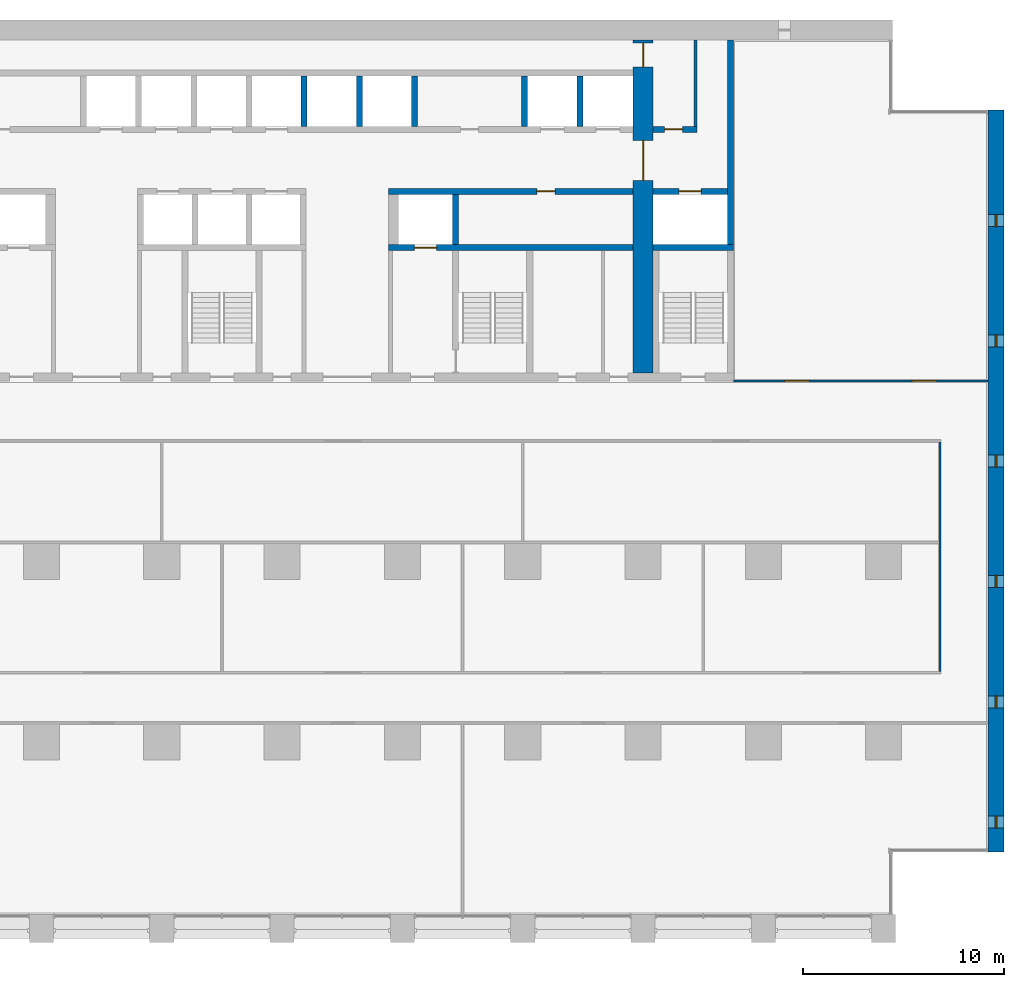
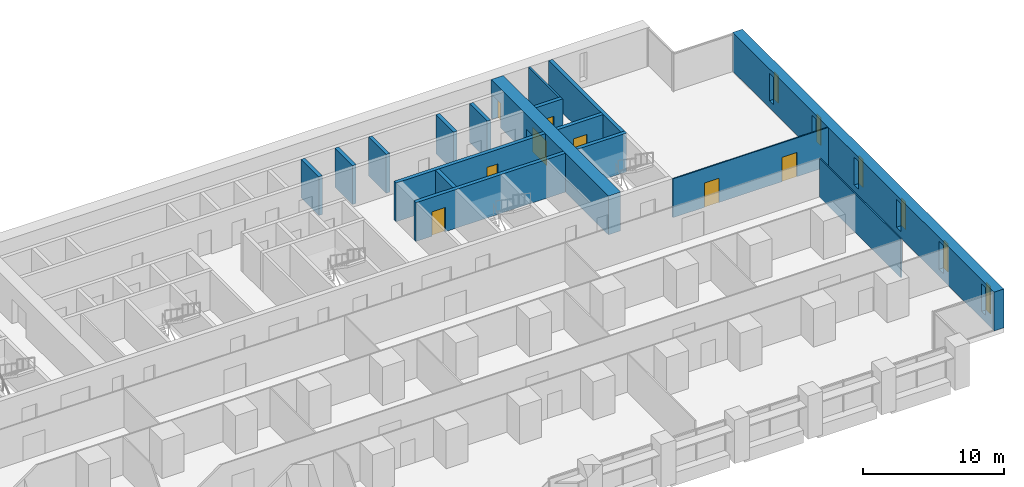
# One storey, part 13 of 18: 17 walls, 8 doors, 6 windows, 14 openings.
"""IFC4 building model written with IfcOpenShell, lengths in metres."""

from ifc_helpers import new_model, si_unit, direction, frame, frame_2d, origin, place, context, subcontext, project, spatial, rectangle, extrude, material, layer, layer_set, type_object, element, fill, save


model = new_model("IFC4")

# Units and contexts
model_context = context("Model", 3, precision=1e-05, world=origin(), true_north=direction((0.0, 1.0)))
body_context = subcontext(model_context, "Body", "Model", "MODEL_VIEW")
ifc_project = project(units=[si_unit("LENGTHUNIT", "METRE"), si_unit("AREAUNIT", "SQUARE_METRE"), si_unit("VOLUMEUNIT", "CUBIC_METRE"), si_unit("PLANEANGLEUNIT", "RADIAN"), si_unit("MASSUNIT", "GRAM", prefix="KILO")], contexts=[model_context])

# Site, building, storey
site_placement = place(None, origin())
site = spatial("IfcSite", under=ifc_project, at=site_placement, CompositionType="ELEMENT")
building_placement = place(site_placement, origin())
building = spatial("IfcBuilding", under=site, at=building_placement, Name="Calvaro Tower", CompositionType="ELEMENT")
storey_placement = place(building_placement, frame((0.0, 0.0, 30.0)))
storey = spatial("IfcBuildingStorey", under=building, at=storey_placement, Name="L06", CompositionType="ELEMENT", Elevation=30.0)

# Wall
ifc_material_1 = material(Name="Blockwork partition", Category="masonry")
ifc_layer_1 = layer(ifc_material_1, 0.14990234375)
ifc_layer_set_1 = layer_set([ifc_layer_1], Name="Blockwork partition")
wall_type_1 = type_object("IfcWallType", Name="Core partition 150 REI 120", PredefinedType="PARTITIONING", material=ifc_layer_set_1)
wall_1_placement = place(storey_placement, frame((62.625, 40.699951171875, 0.0), z_axis=(0.0, 0.0, 1.0), x_axis=(0.0, 1.0, 0.0)))
element("IfcWall", 1, at=wall_1_placement, inside=storey, type_object=wall_type_1, Name="Core partition", PredefinedType="PARTITIONING", context=body_context, shape_type="SweptSolid", body=[
    extrude(rectangle(XDim=4.300048828125, YDim=0.14990234375, at=frame_2d((2.14990234375, 0.0))), origin(), (0.0, 0.0, 1.0), 3.35009765625),
])

# Wall, opening, door
ifc_material_2 = material(Name="Blockwork partition", Category="masonry")
ifc_layer_2 = layer(ifc_material_2, 0.300048828125)
ifc_layer_set_2 = layer_set([ifc_layer_2], Name="Blockwork partition")
wall_type_2 = type_object("IfcWallType", Name="Core partition 300 REI 120", PredefinedType="PARTITIONING", material=ifc_layer_set_2)
wall_2_placement = place(storey_placement, frame((60.5, 40.550048828125, 0.0), z_axis=(0.0, 0.0, 1.0), x_axis=(1.0, 0.0, 0.0)))
wall_2 = element("IfcWall", 2, at=wall_2_placement, inside=storey, type_object=wall_type_2, Name="Core partition", PredefinedType="PARTITIONING", context=body_context, shape_type="SweptSolid", body=[
    extrude(rectangle(XDim=2.199951171875, YDim=0.300048828125, at=frame_2d((1.10009765625, 0.0))), origin(), (0.0, 0.0, 1.0), 3.35009765625),
])
opening_1_placement = place(wall_2_placement, frame((0.574951171875, 0.0, 0.0)))
opening_1 = element("IfcOpeningElement", 3, at=opening_1_placement, cuts=wall_2, Name="Opening RD9E", PredefinedType="OPENING", context=body_context, shape_type="SweptSolid", body=[
    extrude(rectangle(XDim=0.89990234375, YDim=2.10009765625, at=frame_2d((0.449951171875, 1.050048828125))), frame((0.0, 0.159912109375, 0.0), z_axis=(0.0, -1.0, 0.0), x_axis=(1.0, 0.0, 0.0)), (0.0, 0.0, 1.0), 0.320068359375),
])
ifc_material_3 = material(Name="Steel door set", Category="steel")
door_type_1 = type_object("IfcDoorType", Name="Room door 900 FD60", OperationType="SINGLE_SWING_LEFT", PredefinedType="DOOR", material=ifc_material_3)
door_1_placement = place(opening_1_placement, origin())
door_1 = element("IfcDoor", 4, at=door_1_placement, inside=storey, type_object=door_type_1, Name="Room door", OperationType="SINGLE_SWING_LEFT", OverallHeight=2.10009765625, OverallWidth=0.89990234375, PredefinedType="DOOR", context=body_context, shape_type="SweptSolid", body=[
    extrude(rectangle(XDim=0.89990234375, YDim=2.10009765625, at=frame_2d((0.449951171875, 1.050048828125))), frame((0.0, 0.02490234375, 0.0), z_axis=(0.0, -1.0, 0.0), x_axis=(1.0, 0.0, 0.0)), (0.0, 0.0, 1.0), 0.050048828125),
])
fill(opening_1, door_1)

# Wall, openings, doors
ifc_material_4 = material(Name="Concrete C80/95", Category="concrete")
ifc_layer_3 = layer(ifc_material_4, 1.0)
ifc_layer_set_3 = layer_set([ifc_layer_3], Name="Concrete C80/95")
wall_type_3 = type_object("IfcWallType", Name="Core wall C80/95 1000", PredefinedType="SHEAR", material=ifc_layer_set_3)
wall_3_placement = place(storey_placement, frame((60.0, 28.39990234375, 0.0), z_axis=(0.0, 0.0, 1.0), x_axis=(0.0, 1.0, 0.0)))
wall_3 = element("IfcWall", 5, at=wall_3_placement, inside=storey, type_object=wall_type_3, Name="Core wall, cross shear wall", PredefinedType="SHEAR", context=body_context, shape_type="SweptSolid", body=[
    extrude(rectangle(XDim=16.60009765625, YDim=1.0, at=frame_2d((8.300048828125, 0.0))), origin(), (0.0, 0.0, 1.0), 3.35009765625),
])
opening_2_placement = place(wall_3_placement, frame((9.60009765625, 0.0, 0.0)))
opening_2 = element("IfcOpeningElement", 6, at=opening_2_placement, cuts=wall_3, Name="Opening DD20D", PredefinedType="OPENING", context=body_context, shape_type="SweptSolid", body=[
    extrude(rectangle(XDim=2.0, YDim=2.10009765625, at=frame_2d((1.0, 1.050048828125))), frame((0.0, 0.510009765625, 0.0), z_axis=(0.0, -1.0, 0.0), x_axis=(1.0, 0.0, 0.0)), (0.0, 0.0, 1.0), 1.02001953125),
])
opening_3_placement = place(wall_3_placement, frame((15.25, 0.0, 0.0)))
opening_3 = element("IfcOpeningElement", 7, at=opening_3_placement, cuts=wall_3, Name="Opening FD12C", PredefinedType="OPENING", context=body_context, shape_type="SweptSolid", body=[
    extrude(rectangle(XDim=1.199951171875, YDim=2.10009765625, at=frame_2d((0.60009765625, 1.050048828125))), frame((0.0, 0.510009765625, 0.0), z_axis=(0.0, -1.0, 0.0), x_axis=(1.0, 0.0, 0.0)), (0.0, 0.0, 1.0), 1.02001953125),
])
ifc_material_5 = material(Name="Steel door set", Category="steel")
door_type_2 = type_object("IfcDoorType", Name="Fire door 1200 FD30", OperationType="SINGLE_SWING_LEFT", PredefinedType="DOOR", material=ifc_material_5)
door_2_placement = place(opening_3_placement, origin())
door_2 = element("IfcDoor", 8, at=door_2_placement, inside=storey, type_object=door_type_2, Name="Fire door", OperationType="SINGLE_SWING_LEFT", OverallHeight=2.10009765625, OverallWidth=1.199951171875, PredefinedType="DOOR", context=body_context, shape_type="SweptSolid", body=[
    extrude(rectangle(XDim=1.199951171875, YDim=2.10009765625, at=frame_2d((0.60009765625, 1.050048828125))), frame((0.0, 0.02490234375, 0.0), z_axis=(0.0, -1.0, 0.0), x_axis=(1.0, 0.0, 0.0)), (0.0, 0.0, 1.0), 0.050048828125),
])
fill(opening_3, door_2)
ifc_material_6 = material(Name="Steel door set", Category="steel")
door_type_3 = type_object("IfcDoorType", Name="Lobby double door 2000 FD30S", OperationType="DOUBLE_DOOR_SINGLE_SWING", PredefinedType="DOOR", material=ifc_material_6)
door_3_placement = place(opening_2_placement, origin())
door_3 = element("IfcDoor", 9, at=door_3_placement, inside=storey, type_object=door_type_3, Name="Lobby double door", OperationType="DOUBLE_DOOR_SINGLE_SWING", OverallHeight=2.10009765625, OverallWidth=2.0, PredefinedType="DOOR", context=body_context, shape_type="SweptSolid", body=[
    extrude(rectangle(XDim=2.0, YDim=2.10009765625, at=frame_2d((1.0, 1.050048828125))), frame((0.0, 0.02490234375, 0.0), z_axis=(0.0, -1.0, 0.0), x_axis=(1.0, 0.0, 0.0)), (0.0, 0.0, 1.0), 0.050048828125),
])
fill(opening_2, door_3)

# Wall
ifc_material_7 = material(Name="Concrete C80/95", Category="concrete")
ifc_layer_4 = layer(ifc_material_7, 0.300048828125)
ifc_layer_set_4 = layer_set([ifc_layer_4], Name="Concrete C80/95")
wall_type_4 = type_object("IfcWallType", Name="Core wall C80/95 300", PredefinedType="SHEAR", material=ifc_layer_set_4)
wall_4_placement = place(storey_placement, frame((64.35009765625, 34.800048828125, 0.0), z_axis=(0.0, 0.0, 1.0), x_axis=(0.0, 1.0, 0.0)))
element("IfcWall", 10, at=wall_4_placement, inside=storey, type_object=wall_type_4, Name="Core wall, boundary", PredefinedType="SHEAR", context=body_context, shape_type="SweptSolid", body=[
    extrude(rectangle(XDim=10.199951171875, YDim=0.300048828125, at=frame_2d((5.10009765625, 0.0))), origin(), (0.0, 0.0, 1.0), 3.35009765625),
])

# Wall, opening, door
wall_5_placement = place(storey_placement, frame((47.300048828125, 34.64990234375, 0.0), z_axis=(0.0, 0.0, 1.0), x_axis=(1.0, 0.0, 0.0)))
wall_5 = element("IfcWall", 11, at=wall_5_placement, inside=storey, type_object=wall_type_4, Name="Core wall, lift shaft", PredefinedType="SHEAR", context=body_context, shape_type="SweptSolid", body=[
    extrude(rectangle(XDim=12.199951171875, YDim=0.300048828125, at=frame_2d((6.10009765625, 0.0))), origin(), (0.0, 0.0, 1.0), 3.35009765625),
])
opening_4_placement = place(wall_5_placement, frame((1.300048828125, 0.0, 0.0)))
opening_4 = element("IfcOpeningElement", 12, at=opening_4_placement, cuts=wall_5, Name="Opening FF2", PredefinedType="OPENING", context=body_context, shape_type="SweptSolid", body=[
    extrude(rectangle(XDim=1.10009765625, YDim=2.10009765625, at=frame_2d((0.550048828125, 1.050048828125))), frame((0.0, 0.159912109375, 0.0), z_axis=(0.0, -1.0, 0.0), x_axis=(1.0, 0.0, 0.0)), (0.0, 0.0, 1.0), 0.320068359375),
])
ifc_material_8 = material(Name="Stainless steel", Category="steel")
door_type_4 = type_object("IfcDoorType", Name="Landing door 1100 E 60", OperationType="SLIDING_TO_LEFT", PredefinedType="DOOR", material=ifc_material_8)
door_4_placement = place(opening_4_placement, origin())
door_4 = element("IfcDoor", 13, at=door_4_placement, inside=storey, type_object=door_type_4, Name="Landing door FF2", OperationType="SLIDING_TO_LEFT", OverallHeight=2.10009765625, OverallWidth=1.10009765625, PredefinedType="DOOR", context=body_context, shape_type="SweptSolid", body=[
    extrude(rectangle(XDim=1.10009765625, YDim=2.10009765625, at=frame_2d((0.550048828125, 1.050048828125))), frame((0.0, 0.02490234375, 0.0), z_axis=(0.0, -1.0, 0.0), x_axis=(1.0, 0.0, 0.0)), (0.0, 0.0, 1.0), 0.050048828125),
])
fill(opening_4, door_4)

# Wall
wall_6_placement = place(storey_placement, frame((60.5, 34.64990234375, 0.0), z_axis=(0.0, 0.0, 1.0), x_axis=(1.0, 0.0, 0.0)))
element("IfcWall", 14, at=wall_6_placement, inside=storey, type_object=wall_type_4, Name="Core wall, lift shaft", PredefinedType="SHEAR", context=body_context, shape_type="SweptSolid", body=[
    extrude(rectangle(XDim=4.0, YDim=0.300048828125, at=frame_2d((2.0, 0.0))), origin(), (0.0, 0.0, 1.0), 3.35009765625),
])

# Wall, opening, door
wall_7_placement = place(storey_placement, frame((59.5, 37.449951171875, 0.0), z_axis=(0.0, 0.0, 1.0), x_axis=(-1.0, 0.0, 0.0)))
wall_7 = element("IfcWall", 15, at=wall_7_placement, inside=storey, type_object=wall_type_4, Name="Core wall, bay", PredefinedType="SHEAR", context=body_context, shape_type="SweptSolid", body=[
    extrude(rectangle(XDim=12.199951171875, YDim=0.300048828125, at=frame_2d((6.10009765625, 0.0))), origin(), (0.0, 0.0, 1.0), 3.35009765625),
])
opening_5_placement = place(wall_7_placement, frame((3.89990234375, 0.0, 0.0)))
opening_5 = element("IfcOpeningElement", 16, at=opening_5_placement, cuts=wall_7, Name="Opening RD9C", PredefinedType="OPENING", context=body_context, shape_type="SweptSolid", body=[
    extrude(rectangle(XDim=0.89990234375, YDim=2.10009765625, at=frame_2d((0.449951171875, 1.050048828125))), frame((0.0, 0.159912109375, 0.0), z_axis=(0.0, -1.0, 0.0), x_axis=(1.0, 0.0, 0.0)), (0.0, 0.0, 1.0), 0.320068359375),
])
ifc_material_9 = material(Name="Steel door set", Category="steel")
door_type_5 = type_object("IfcDoorType", Name="Room door 900 FD30", OperationType="SINGLE_SWING_LEFT", PredefinedType="DOOR", material=ifc_material_9)
door_5_placement = place(opening_5_placement, origin())
door_5 = element("IfcDoor", 17, at=door_5_placement, inside=storey, type_object=door_type_5, Name="Room door", OperationType="SINGLE_SWING_RIGHT", OverallHeight=2.10009765625, OverallWidth=0.89990234375, PredefinedType="DOOR", context=body_context, shape_type="SweptSolid", body=[
    extrude(rectangle(XDim=0.89990234375, YDim=2.10009765625, at=frame_2d((0.449951171875, 1.050048828125))), frame((0.0, 0.02490234375, 0.0), z_axis=(0.0, -1.0, 0.0), x_axis=(1.0, 0.0, 0.0)), (0.0, 0.0, 1.0), 0.050048828125),
])
fill(opening_5, door_5)

wall_8_placement = place(storey_placement, frame((60.5, 37.449951171875, 0.0), z_axis=(0.0, 0.0, 1.0), x_axis=(1.0, 0.0, 0.0)))
wall_8 = element("IfcWall", 18, at=wall_8_placement, inside=storey, type_object=wall_type_4, Name="Core wall, lift shaft", PredefinedType="SHEAR", context=body_context, shape_type="SweptSolid", body=[
    extrude(rectangle(XDim=3.699951171875, YDim=0.300048828125, at=frame_2d((1.85009765625, 0.0))), origin(), (0.0, 0.0, 1.0), 3.35009765625),
])
opening_6_placement = place(wall_8_placement, frame((1.300048828125, 0.0, 0.0)))
opening_6 = element("IfcOpeningElement", 19, at=opening_6_placement, cuts=wall_8, Name="Opening FF3", PredefinedType="OPENING", context=body_context, shape_type="SweptSolid", body=[
    extrude(rectangle(XDim=1.10009765625, YDim=2.10009765625, at=frame_2d((0.550048828125, 1.050048828125))), frame((0.0, 0.159912109375, 0.0), z_axis=(0.0, -1.0, 0.0), x_axis=(1.0, 0.0, 0.0)), (0.0, 0.0, 1.0), 0.320068359375),
])
door_6_placement = place(opening_6_placement, origin())
door_6 = element("IfcDoor", 20, at=door_6_placement, inside=storey, type_object=door_type_4, Name="Landing door FF3", OperationType="SLIDING_TO_LEFT", OverallHeight=2.10009765625, OverallWidth=1.10009765625, PredefinedType="DOOR", context=body_context, shape_type="SweptSolid", body=[
    extrude(rectangle(XDim=1.10009765625, YDim=2.10009765625, at=frame_2d((0.550048828125, 1.050048828125))), frame((0.0, 0.02490234375, 0.0), z_axis=(0.0, -1.0, 0.0), x_axis=(1.0, 0.0, 0.0)), (0.0, 0.0, 1.0), 0.050048828125),
])
fill(opening_6, door_6)

# Walls
for number, where, z_axis, x_axis, name in (
    (21, (50.64990234375, 34.800048828125, 0.0), (0.0, 0.0, 1.0), (0.0, 1.0, 0.0), "Core wall, lift shaft"),
    (22, (43.10009765625, 40.699951171875, 0.0), (0.0, 0.0, 1.0), (0.0, 1.0, 0.0), "Core wall, lift shaft"),
    (23, (45.85009765625, 40.699951171875, 0.0), (0.0, 0.0, 1.0), (0.0, 1.0, 0.0), "Core wall, lift shaft"),
    (24, (48.60009765625, 40.699951171875, 0.0), (0.0, 0.0, 1.0), (0.0, 1.0, 0.0), "Core wall, lift shaft"),
    (25, (54.10009765625, 40.699951171875, 0.0), (0.0, 0.0, 1.0), (0.0, 1.0, 0.0), "Core wall, lift shaft"),
    (26, (56.85009765625, 40.699951171875, 0.0), (0.0, 0.0, 1.0), (0.0, 1.0, 0.0), "Core wall, lift shaft"),
):
    element("IfcWall", number, at=place(storey_placement, frame(where, z_axis=z_axis, x_axis=x_axis)), inside=storey, type_object=wall_type_4, Name=name, PredefinedType="SHEAR", context=body_context, shape_type="SweptSolid", body=[
        extrude(rectangle(XDim=2.5, YDim=0.300048828125, at=frame_2d((1.25, 0.0))), origin(), (0.0, 0.0, 1.0), 3.35009765625),
    ])

# Wall, openings, windows
ifc_material_10 = material(Name="Concrete C80/95", Category="concrete")
ifc_layer_5 = layer(ifc_material_10, 0.800048828125)
ifc_layer_set_5 = layer_set([ifc_layer_5], Name="Concrete C80/95")
wall_type_5 = type_object("IfcWallType", Name="End wall 800 C80/95", PredefinedType="SHEAR", material=ifc_layer_set_5)
wall_9_placement = place(storey_placement, frame((77.60009765625, 4.5, 0.0), z_axis=(0.0, 0.0, 1.0), x_axis=(0.0, 1.0, 0.0)))
wall_9 = element("IfcWall", 27, at=wall_9_placement, inside=storey, type_object=wall_type_5, Name="End shear wall", PredefinedType="SHEAR", context=body_context, shape_type="SweptSolid", body=[
    extrude(rectangle(XDim=37.0, YDim=0.800048828125, at=frame_2d((18.5, 0.0))), origin(), (0.0, 0.0, 1.0), 3.35009765625),
])
opening_7_placement = place(wall_9_placement, frame((1.199951171875, 0.0, 0.60009765625)))
opening_7 = element("IfcOpeningElement", 28, at=opening_7_placement, cuts=wall_9, Name="Opening WE01", PredefinedType="OPENING", context=body_context, shape_type="SweptSolid", body=[
    extrude(rectangle(XDim=0.60009765625, YDim=2.39990234375, at=frame_2d((0.300048828125, 1.199951171875))), frame((0.0, 0.409912109375, 0.0), z_axis=(0.0, -1.0, 0.0), x_axis=(1.0, 0.0, 0.0)), (0.0, 0.0, 1.0), 0.820068359375),
])
opening_8_placement = place(wall_9_placement, frame((7.199951171875, 0.0, 0.60009765625)))
opening_8 = element("IfcOpeningElement", 29, at=opening_8_placement, cuts=wall_9, Name="Opening WE02", PredefinedType="OPENING", context=body_context, shape_type="SweptSolid", body=[
    extrude(rectangle(XDim=0.60009765625, YDim=2.39990234375, at=frame_2d((0.300048828125, 1.199951171875))), frame((0.0, 0.409912109375, 0.0), z_axis=(0.0, -1.0, 0.0), x_axis=(1.0, 0.0, 0.0)), (0.0, 0.0, 1.0), 0.820068359375),
])
opening_9_placement = place(wall_9_placement, frame((13.199951171875, 0.0, 0.60009765625)))
opening_9 = element("IfcOpeningElement", 30, at=opening_9_placement, cuts=wall_9, Name="Opening WE03", PredefinedType="OPENING", context=body_context, shape_type="SweptSolid", body=[
    extrude(rectangle(XDim=0.60009765625, YDim=2.39990234375, at=frame_2d((0.300048828125, 1.199951171875))), frame((0.0, 0.409912109375, 0.0), z_axis=(0.0, -1.0, 0.0), x_axis=(1.0, 0.0, 0.0)), (0.0, 0.0, 1.0), 0.820068359375),
])
opening_10_placement = place(wall_9_placement, frame((19.199951171875, 0.0, 0.60009765625)))
opening_10 = element("IfcOpeningElement", 31, at=opening_10_placement, cuts=wall_9, Name="Opening WE04", PredefinedType="OPENING", context=body_context, shape_type="SweptSolid", body=[
    extrude(rectangle(XDim=0.60009765625, YDim=2.39990234375, at=frame_2d((0.300048828125, 1.199951171875))), frame((0.0, 0.409912109375, 0.0), z_axis=(0.0, -1.0, 0.0), x_axis=(1.0, 0.0, 0.0)), (0.0, 0.0, 1.0), 0.820068359375),
])
opening_11_placement = place(wall_9_placement, frame((25.199951171875, 0.0, 0.60009765625)))
opening_11 = element("IfcOpeningElement", 32, at=opening_11_placement, cuts=wall_9, Name="Opening WE05", PredefinedType="OPENING", context=body_context, shape_type="SweptSolid", body=[
    extrude(rectangle(XDim=0.60009765625, YDim=2.39990234375, at=frame_2d((0.300048828125, 1.199951171875))), frame((0.0, 0.409912109375, 0.0), z_axis=(0.0, -1.0, 0.0), x_axis=(1.0, 0.0, 0.0)), (0.0, 0.0, 1.0), 0.820068359375),
])
opening_12_placement = place(wall_9_placement, frame((31.199951171875, 0.0, 0.60009765625)))
opening_12 = element("IfcOpeningElement", 33, at=opening_12_placement, cuts=wall_9, Name="Opening WE06", PredefinedType="OPENING", context=body_context, shape_type="SweptSolid", body=[
    extrude(rectangle(XDim=0.60009765625, YDim=2.39990234375, at=frame_2d((0.300048828125, 1.199951171875))), frame((0.0, 0.409912109375, 0.0), z_axis=(0.0, -1.0, 0.0), x_axis=(1.0, 0.0, 0.0)), (0.0, 0.0, 1.0), 0.820068359375),
])
ifc_material_11 = material(Name="Glass", Category="glass")
window_type = type_object("IfcWindowType", Name="Slit window 600 x 2400", PartitioningType="SINGLE_PANEL", PredefinedType="WINDOW", material=ifc_material_11)
window_1_placement = place(opening_7_placement, origin())
window_1 = element("IfcWindow", 34, at=window_1_placement, inside=storey, type_object=window_type, Name="Window WE01", OverallHeight=2.39990234375, OverallWidth=0.60009765625, PartitioningType="SINGLE_PANEL", PredefinedType="WINDOW", context=body_context, shape_type="SweptSolid", body=[
    extrude(rectangle(XDim=0.60009765625, YDim=2.39990234375, at=frame_2d((0.300048828125, 1.199951171875))), frame((0.0, 0.030029296875, 0.0), z_axis=(0.0, -1.0, 0.0), x_axis=(1.0, 0.0, 0.0)), (0.0, 0.0, 1.0), 0.06005859375),
])
fill(opening_7, window_1)
window_2_placement = place(opening_8_placement, origin())
window_2 = element("IfcWindow", 35, at=window_2_placement, inside=storey, type_object=window_type, Name="Window WE02", OverallHeight=2.39990234375, OverallWidth=0.60009765625, PartitioningType="SINGLE_PANEL", PredefinedType="WINDOW", context=body_context, shape_type="SweptSolid", body=[
    extrude(rectangle(XDim=0.60009765625, YDim=2.39990234375, at=frame_2d((0.300048828125, 1.199951171875))), frame((0.0, 0.030029296875, 0.0), z_axis=(0.0, -1.0, 0.0), x_axis=(1.0, 0.0, 0.0)), (0.0, 0.0, 1.0), 0.06005859375),
])
fill(opening_8, window_2)
window_3_placement = place(opening_9_placement, origin())
window_3 = element("IfcWindow", 36, at=window_3_placement, inside=storey, type_object=window_type, Name="Window WE03", OverallHeight=2.39990234375, OverallWidth=0.60009765625, PartitioningType="SINGLE_PANEL", PredefinedType="WINDOW", context=body_context, shape_type="SweptSolid", body=[
    extrude(rectangle(XDim=0.60009765625, YDim=2.39990234375, at=frame_2d((0.300048828125, 1.199951171875))), frame((0.0, 0.030029296875, 0.0), z_axis=(0.0, -1.0, 0.0), x_axis=(1.0, 0.0, 0.0)), (0.0, 0.0, 1.0), 0.06005859375),
])
fill(opening_9, window_3)
window_4_placement = place(opening_10_placement, origin())
window_4 = element("IfcWindow", 37, at=window_4_placement, inside=storey, type_object=window_type, Name="Window WE04", OverallHeight=2.39990234375, OverallWidth=0.60009765625, PartitioningType="SINGLE_PANEL", PredefinedType="WINDOW", context=body_context, shape_type="SweptSolid", body=[
    extrude(rectangle(XDim=0.60009765625, YDim=2.39990234375, at=frame_2d((0.300048828125, 1.199951171875))), frame((0.0, 0.030029296875, 0.0), z_axis=(0.0, -1.0, 0.0), x_axis=(1.0, 0.0, 0.0)), (0.0, 0.0, 1.0), 0.06005859375),
])
fill(opening_10, window_4)
window_5_placement = place(opening_11_placement, origin())
window_5 = element("IfcWindow", 38, at=window_5_placement, inside=storey, type_object=window_type, Name="Window WE05", OverallHeight=2.39990234375, OverallWidth=0.60009765625, PartitioningType="SINGLE_PANEL", PredefinedType="WINDOW", context=body_context, shape_type="SweptSolid", body=[
    extrude(rectangle(XDim=0.60009765625, YDim=2.39990234375, at=frame_2d((0.300048828125, 1.199951171875))), frame((0.0, 0.030029296875, 0.0), z_axis=(0.0, -1.0, 0.0), x_axis=(1.0, 0.0, 0.0)), (0.0, 0.0, 1.0), 0.06005859375),
])
fill(opening_11, window_5)
window_6_placement = place(opening_12_placement, origin())
window_6 = element("IfcWindow", 39, at=window_6_placement, inside=storey, type_object=window_type, Name="Window WE06", OverallHeight=2.39990234375, OverallWidth=0.60009765625, PartitioningType="SINGLE_PANEL", PredefinedType="WINDOW", context=body_context, shape_type="SweptSolid", body=[
    extrude(rectangle(XDim=0.60009765625, YDim=2.39990234375, at=frame_2d((0.300048828125, 1.199951171875))), frame((0.0, 0.030029296875, 0.0), z_axis=(0.0, -1.0, 0.0), x_axis=(1.0, 0.0, 0.0)), (0.0, 0.0, 1.0), 0.06005859375),
])
fill(opening_12, window_6)

# Wall, openings, doors
ifc_material_12 = material(Name="Plasterboard on steel studs", Category="steel")
ifc_layer_6 = layer(ifc_material_12, 0.10009765625)
ifc_layer_set_6 = layer_set([ifc_layer_6], Name="Plasterboard on steel studs")
wall_type_6 = type_object("IfcWallType", Name="Partition 100", PredefinedType="PARTITIONING", material=ifc_layer_set_6)
wall_10_placement = place(storey_placement, frame((64.5, 28.0, 0.0), z_axis=(0.0, 0.0, 1.0), x_axis=(1.0, 0.0, 0.0)))
wall_10 = element("IfcWall", 40, at=wall_10_placement, inside=storey, type_object=wall_type_6, Name="Partition T08.W006", PredefinedType="PARTITIONING", context=body_context, shape_type="SweptSolid", body=[
    extrude(rectangle(XDim=12.699951171875, YDim=0.10009765625, at=frame_2d((6.35009765625, 0.0))), origin(), (0.0, 0.0, 1.0), 3.35009765625),
])
opening_13_placement = place(wall_10_placement, frame((2.574951171875, 0.0, 0.0)))
opening_13 = element("IfcOpeningElement", 41, at=opening_13_placement, cuts=wall_10, Name="Opening T08.018", PredefinedType="OPENING", context=body_context, shape_type="SweptSolid", body=[
    extrude(rectangle(XDim=1.199951171875, YDim=2.10009765625, at=frame_2d((0.60009765625, 1.050048828125))), frame((0.0, 0.06005859375, 0.0), z_axis=(0.0, -1.0, 0.0), x_axis=(1.0, 0.0, 0.0)), (0.0, 0.0, 1.0), 0.1201171875),
])
opening_14_placement = place(wall_10_placement, frame((8.925048828125, 0.0, 0.0)))
opening_14 = element("IfcOpeningElement", 42, at=opening_14_placement, cuts=wall_10, Name="Opening T08.019", PredefinedType="OPENING", context=body_context, shape_type="SweptSolid", body=[
    extrude(rectangle(XDim=1.199951171875, YDim=2.10009765625, at=frame_2d((0.60009765625, 1.050048828125))), frame((0.0, 0.06005859375, 0.0), z_axis=(0.0, -1.0, 0.0), x_axis=(1.0, 0.0, 0.0)), (0.0, 0.0, 1.0), 0.1201171875),
])
ifc_material_13 = material(Name="Timber", Category="wood")
door_type_6 = type_object("IfcDoorType", Name="Internal single door 1200 x 2100", OperationType="SINGLE_SWING_LEFT", PredefinedType="DOOR", material=ifc_material_13)
door_7_placement = place(opening_13_placement, origin())
door_7 = element("IfcDoor", 43, at=door_7_placement, inside=storey, type_object=door_type_6, Name="Door T08.018", OperationType="SINGLE_SWING_LEFT", OverallHeight=2.10009765625, OverallWidth=1.199951171875, PredefinedType="DOOR", context=body_context, shape_type="SweptSolid", body=[
    extrude(rectangle(XDim=1.199951171875, YDim=2.10009765625, at=frame_2d((0.60009765625, 1.050048828125))), frame((0.0, 0.02490234375, 0.0), z_axis=(0.0, -1.0, 0.0), x_axis=(1.0, 0.0, 0.0)), (0.0, 0.0, 1.0), 0.050048828125),
])
fill(opening_13, door_7)
door_8_placement = place(opening_14_placement, origin())
door_8 = element("IfcDoor", 44, at=door_8_placement, inside=storey, type_object=door_type_6, Name="Door T08.019", OperationType="SINGLE_SWING_RIGHT", OverallHeight=2.10009765625, OverallWidth=1.199951171875, PredefinedType="DOOR", context=body_context, shape_type="SweptSolid", body=[
    extrude(rectangle(XDim=1.199951171875, YDim=2.10009765625, at=frame_2d((0.60009765625, 1.050048828125))), frame((0.0, 0.02490234375, 0.0), z_axis=(0.0, -1.0, 0.0), x_axis=(1.0, 0.0, 0.0)), (0.0, 0.0, 1.0), 0.050048828125),
])
fill(opening_14, door_8)

# Wall
wall_11_placement = place(storey_placement, frame((74.800048828125, 13.5, 0.0), z_axis=(0.0, 0.0, 1.0), x_axis=(0.0, 1.0, 0.0)))
element("IfcWall", 45, at=wall_11_placement, inside=storey, type_object=wall_type_6, Name="Partition T08.W018", PredefinedType="PARTITIONING", context=body_context, shape_type="SweptSolid", body=[
    extrude(rectangle(XDim=11.449951171875, YDim=0.10009765625, at=frame_2d((5.72509765625, 0.0))), origin(), (0.0, 0.0, 1.0), 3.35009765625),
])

save(model, "model.ifc")
